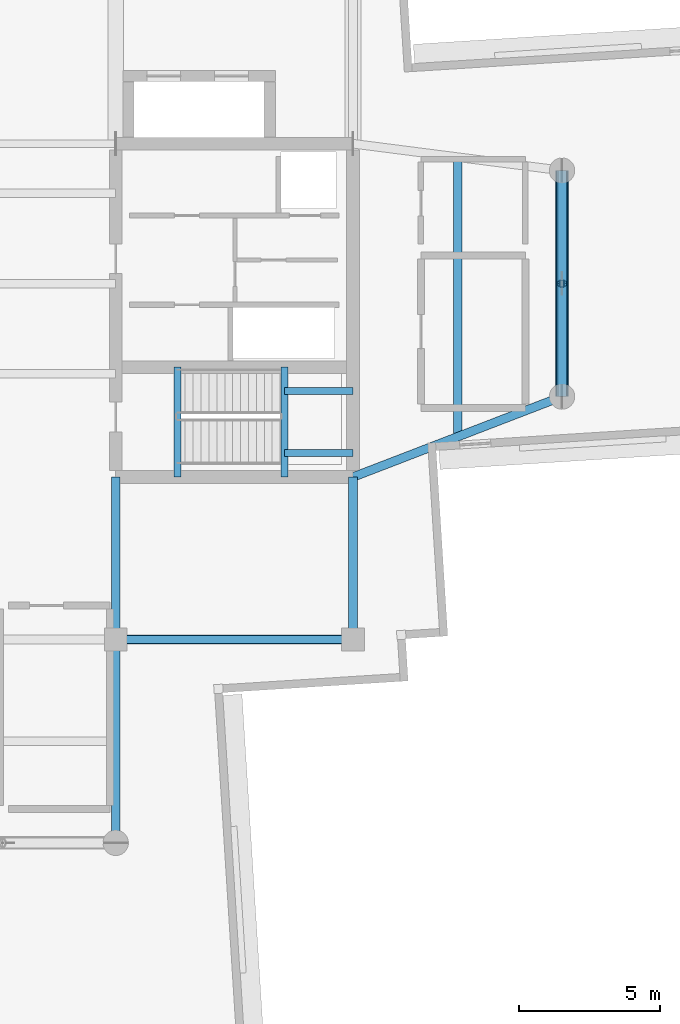
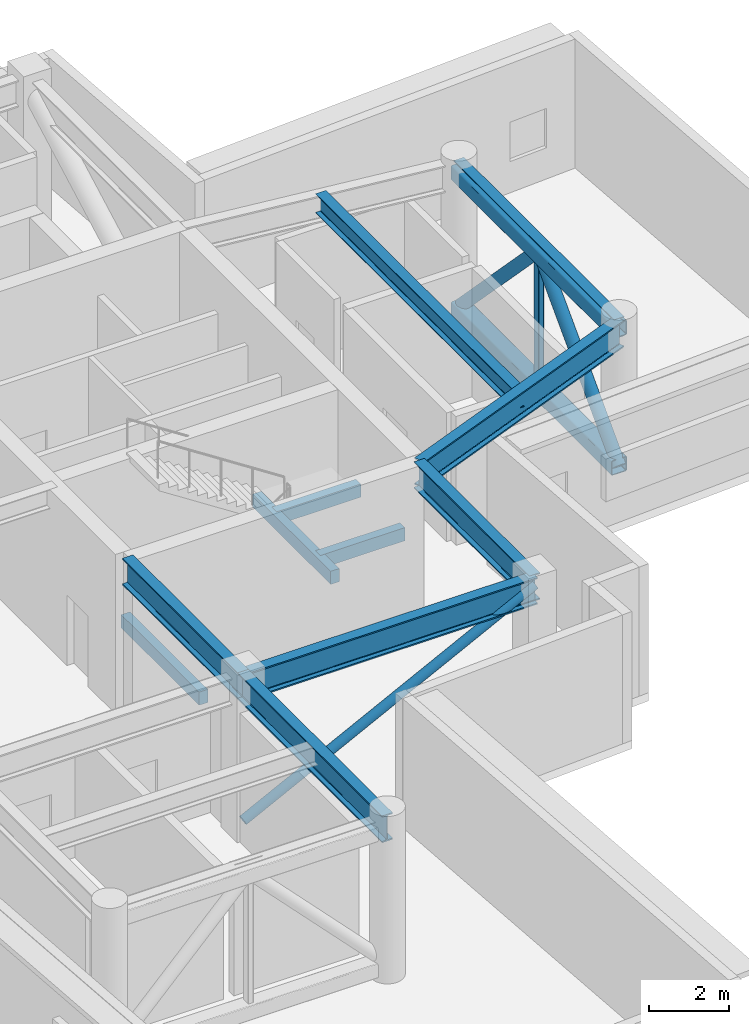
# One storey, part 4 of 14: 11 beams, 6 members.
"""IFC4 building model written with IfcOpenShell, lengths in metres."""

from ifc_helpers import new_model, si_unit, direction, frame, origin, origin_2d, place, context, subcontext, project, spatial, rectangle, hollow_rectangle, hollow_circle, i_section, extrude, material, material_profile, profile_set, type_object, element, save


model = new_model("IFC4")

# Units and contexts
model_context = context("Model", 3, precision=1e-05, world=origin(), true_north=direction((0.0, 1.0)))
body_context = subcontext(model_context, "Body", "Model", "MODEL_VIEW")
ifc_project = project(units=[si_unit("LENGTHUNIT", "METRE"), si_unit("AREAUNIT", "SQUARE_METRE"), si_unit("VOLUMEUNIT", "CUBIC_METRE"), si_unit("PLANEANGLEUNIT", "RADIAN"), si_unit("MASSUNIT", "GRAM", prefix="KILO")], contexts=[model_context])

# Site, building, storey
site_placement = place(None, origin())
site = spatial("IfcSite", under=ifc_project, at=site_placement, CompositionType="ELEMENT")
building_placement = place(site_placement, origin())
building = spatial("IfcBuilding", under=site, at=building_placement, Name="Qingluan Cross Belvedere", CompositionType="ELEMENT")
storey_placement = place(building_placement, frame((0.0, 0.0, 288.89990234375)))
storey = spatial("IfcBuildingStorey", under=building, at=storey_placement, Name="L72", CompositionType="ELEMENT", Elevation=288.89990234375)

# Beams
ifc_material_1 = material(Name="Concrete C45", Category="concrete")
ifc_material_profile_1 = material_profile(ifc_material_1, rectangle(XDim=0.25, YDim=0.39990234375, at=origin_2d()), Name="RC250x400")
ifc_profile_set_1 = profile_set([ifc_material_profile_1], Name="Concrete C45")
beam_type_1 = type_object("IfcBeamType", Name="RC_Lintel_RC250x400", PredefinedType="LINTEL", material=ifc_profile_set_1)
for number, where, z_axis, x_axis, name in (
    (1, (6.179931640625, -6.85009765625, -0.199951171875), (0.0, 1.0, 0.0), (-1.0, 0.0, 0.0), "Stair ST2 landing beam L72"),
    (2, (9.969970703125, -6.85009765625, 2.150146484375), (0.0, 1.0, 0.0), (-1.0, 0.0, 0.0), "Stair ST2 beam A L72"),
):
    element("IfcBeam", number, at=place(storey_placement, frame(where, z_axis=z_axis, x_axis=x_axis)), inside=storey, type_object=beam_type_1, Name=name, PredefinedType="LINTEL", context=body_context, shape_type="SweptSolid", body=[
        extrude(rectangle(XDim=0.25, YDim=0.39990234375, at=origin_2d()), origin(), (0.0, 0.0, 1.0), 3.89013671875),
    ])
for number, where, z_axis, x_axis, name in (
    (3, (12.39990234375, -6.0, 2.150146484375), (-1.0, 0.0, 0.0), (0.0, -1.0, 0.0), "Stair ST2 beam B L72"),
    (4, (12.39990234375, -3.81005859375, 2.150146484375), (-1.0, 0.0, 0.0), (0.0, -1.0, 0.0), "Stair ST2 beam C L72"),
):
    element("IfcBeam", number, at=place(storey_placement, frame(where, z_axis=z_axis, x_axis=x_axis)), inside=storey, type_object=beam_type_1, Name=name, PredefinedType="LINTEL", context=body_context, shape_type="SweptSolid", body=[
        extrude(rectangle(XDim=0.25, YDim=0.39990234375, at=origin_2d()), origin(), (0.0, 0.0, 1.0), 2.429931640625),
    ])

# Members
ifc_material_2 = material(Name="Steel Q420GJB", Category="steel")
ifc_material_profile_2 = material_profile(ifc_material_2, hollow_circle(Radius=0.177490234375, WallThickness=0.01611328125, at=origin_2d()), Name="CHS355x16")
ifc_profile_set_2 = profile_set([ifc_material_profile_2], Name="Steel Q420GJB")
member_type_1 = type_object("IfcMemberType", Name="SteelMember_BRACE_CHS355x16", PredefinedType="BRACE", material=ifc_profile_set_2)
for number, where, z_axis, x_axis, name in (
    (5, (19.800048828125, -4.0, 0.35009765625), (0.0, 0.693983482825, 0.719990920475), (-1.0, 0.0, 0.0), "Belt truss diagonal A L72-E"),
    (6, (19.800048828125, 4.0, 0.35009765625), (0.0, -0.693983482825, 0.719990920475), (1.0, 0.0, 0.0), "Belt truss diagonal B L72-E"),
):
    element("IfcMember", number, at=place(storey_placement, frame(where, z_axis=z_axis, x_axis=x_axis)), inside=storey, type_object=member_type_1, Name=name, PredefinedType="BRACE", context=body_context, shape_type="SweptSolid", body=[
        extrude(hollow_circle(Radius=0.177490234375, WallThickness=0.01611328125, at=origin_2d()), origin(), (0.0, 0.0, 1.0), 5.763916015625),
    ])
ifc_material_3 = material(Name="Steel Q420GJB", Category="steel")
ifc_material_profile_3 = material_profile(ifc_material_3, hollow_rectangle(XDim=0.449951171875, YDim=0.449951171875, WallThickness=0.02197265625, InnerFilletRadius=0.02197265625, OuterFilletRadius=0.0439453125, at=origin_2d()), Name="RHS450x450x22")
ifc_profile_set_3 = profile_set([ifc_material_profile_3], Name="Steel Q420GJB")
member_type_2 = type_object("IfcMemberType", Name="SteelMember_CHORD_RHS450x450x22", PredefinedType="CHORD", material=ifc_profile_set_3)
for number, where, z_axis, x_axis, name in (
    (7, (19.800048828125, -4.0, 0.35009765625), (0.0, 1.0, 0.0), (-1.0, 0.0, 0.0), "Belt truss bottom chord L72-E"),
    (8, (19.800048828125, -4.0, 4.5), (0.0, 1.0, 0.0), (-1.0, 0.0, 0.0), "Belt truss top chord L72-E"),
):
    element("IfcMember", number, at=place(storey_placement, frame(where, z_axis=z_axis, x_axis=x_axis)), inside=storey, type_object=member_type_2, Name=name, PredefinedType="CHORD", context=body_context, shape_type="SweptSolid", body=[
        extrude(hollow_rectangle(XDim=0.449951171875, YDim=0.449951171875, WallThickness=0.02197265625, InnerFilletRadius=0.02197265625, OuterFilletRadius=0.0439453125, at=origin_2d()), origin(), (0.0, 0.0, 1.0), 8.0),
    ])
ifc_material_4 = material(Name="Steel Q420GJB", Category="steel")
ifc_material_profile_4 = material_profile(ifc_material_4, hollow_rectangle(XDim=0.14990234375, YDim=0.25, WallThickness=0.010009765625, InnerFilletRadius=0.010009765625, OuterFilletRadius=0.02001953125, at=origin_2d()), Name="RHS250x150x10")
ifc_profile_set_4 = profile_set([ifc_material_profile_4], Name="Steel Q420GJB")
member_type_3 = type_object("IfcMemberType", Name="SteelMember_POST_RHS250x150x10", PredefinedType="POST", material=ifc_profile_set_4)
member_1_placement = place(storey_placement, frame((19.800048828125, 0.0, 0.35009765625), z_axis=(0.0, 0.0, 1.0), x_axis=(1.0, 0.0, 0.0)))
element("IfcMember", 9, at=member_1_placement, inside=storey, type_object=member_type_3, Name="Belt truss mid-post L72-E", PredefinedType="POST", context=body_context, shape_type="SweptSolid", body=[
    extrude(hollow_rectangle(XDim=0.14990234375, YDim=0.25, WallThickness=0.010009765625, InnerFilletRadius=0.010009765625, OuterFilletRadius=0.02001953125, at=origin_2d()), origin(), (0.0, 0.0, 1.0), 4.14990234375),
])
ifc_material_5 = material(Name="Steel Q420GJB", Category="steel")
ifc_material_profile_5 = material_profile(ifc_material_5, hollow_circle(Radius=0.136474609375, WallThickness=0.011962890625, at=origin_2d()), Name="CHS273x12")
ifc_profile_set_5 = profile_set([ifc_material_profile_5], Name="Steel Q420GJB")
member_type_4 = type_object("IfcMemberType", Name="SteelMember_STRUT_CHS273x12", PredefinedType="STRUT", material=ifc_profile_set_5)
member_2_placement = place(storey_placement, frame((4.0, -12.60009765625, 0.300048828125), z_axis=(0.892290477913, 0.0, 0.45146174038), x_axis=(0.0, 1.0, 0.0)))
element("IfcMember", 10, at=member_2_placement, inside=storey, type_object=member_type_4, Name="Refuge hub lateral strut L72-SE", PredefinedType="STRUT", context=body_context, shape_type="SweptSolid", body=[
    extrude(hollow_circle(Radius=0.136474609375, WallThickness=0.011962890625, at=origin_2d()), origin(), (0.0, 0.0, 1.0), 9.413818359375),
])

# Beams
ifc_material_6 = material(Name="Steel Q420GJB", Category="steel")
ifc_material_profile_6 = material_profile(ifc_material_6, i_section(OverallWidth=0.300048828125, OverallDepth=0.587890625, WebThickness=0.011962890625, FlangeThickness=0.02001953125, FilletRadius=0.02392578125, at=origin_2d()), Name="HM588x300x12x20")
ifc_profile_set_6 = profile_set([ifc_material_profile_6], Name="Steel Q420GJB")
beam_type_2 = type_object("IfcBeamType", Name="Steel_Beam_HM588x300x12x20", PredefinedType="BEAM", material=ifc_profile_set_6)
beam_1_placement = place(storey_placement, frame((19.800048828125, -4.0, 4.55615234375), z_axis=(0.0, 1.0, 0.0), x_axis=(-1.0, 0.0, 0.0)))
element("IfcBeam", 11, at=beam_1_placement, inside=storey, type_object=beam_type_2, Name="Arm E tie L72", PredefinedType="BEAM", context=body_context, shape_type="SweptSolid", body=[
    extrude(i_section(OverallWidth=0.300048828125, OverallDepth=0.587890625, WebThickness=0.011962890625, FlangeThickness=0.02001953125, FilletRadius=0.02392578125, at=origin_2d()), origin(), (0.0, 0.0, 1.0), 8.0),
])
beam_2_placement = place(storey_placement, frame((16.10009765625, -5.425048828125, 4.55615234375), z_axis=(0.0, 1.0, 0.0), x_axis=(-1.0, 0.0, 0.0)))
element("IfcBeam", 12, at=beam_2_placement, inside=storey, type_object=beam_type_2, Name="Arm E beam L72", PredefinedType="BEAM", context=body_context, shape_type="SweptSolid", body=[
    extrude(i_section(OverallWidth=0.300048828125, OverallDepth=0.587890625, WebThickness=0.011962890625, FlangeThickness=0.02001953125, FilletRadius=0.02392578125, at=origin_2d()), origin(), (0.0, 0.0, 1.0), 9.900146484375),
])
ifc_material_7 = material(Name="Steel Q420GJB", Category="steel")
ifc_material_profile_7 = material_profile(ifc_material_7, i_section(OverallWidth=0.305908203125, OverallDepth=0.81396484375, WebThickness=0.02099609375, FlangeThickness=0.0400390625, FilletRadius=0.030029296875, at=origin_2d()), Name="HEM800")
ifc_profile_set_7 = profile_set([ifc_material_profile_7], Name="Steel Q420GJB")
beam_type_3 = type_object("IfcBeamType", Name="Steel_Girder_HEM800", PredefinedType="USERDEFINED", material=ifc_profile_set_7)
beam_3_placement = place(storey_placement, frame((4.0, -12.60009765625, 4.443115234375), z_axis=(1.0, 0.0, 0.0), x_axis=(0.0, 1.0, 0.0)))
element("IfcBeam", 13, at=beam_3_placement, inside=storey, type_object=beam_type_3, Name="Hub girder L72-HG-S3", ObjectType="GIRDER", PredefinedType="USERDEFINED", context=body_context, shape_type="SweptSolid", body=[
    extrude(i_section(OverallWidth=0.305908203125, OverallDepth=0.81396484375, WebThickness=0.02099609375, FlangeThickness=0.0400390625, FilletRadius=0.030029296875, at=origin_2d()), origin(), (0.0, 0.0, 1.0), 8.39990234375),
])
for number, where, z_axis, x_axis, name in (
    (14, (12.39990234375, -12.60009765625, 4.443115234375), (0.0, 1.0, 0.0), (-1.0, 0.0, 0.0), "Hub girder L72-HG-E1"),
    (15, (4.0, -12.60009765625, 4.443115234375), (0.0, 1.0, 0.0), (-1.0, 0.0, 0.0), "Hub girder L72-HG-CE"),
):
    element("IfcBeam", number, at=place(storey_placement, frame(where, z_axis=z_axis, x_axis=x_axis)), inside=storey, type_object=beam_type_3, Name=name, ObjectType="GIRDER", PredefinedType="USERDEFINED", context=body_context, shape_type="SweptSolid", body=[
        extrude(i_section(OverallWidth=0.305908203125, OverallDepth=0.81396484375, WebThickness=0.02099609375, FlangeThickness=0.0400390625, FilletRadius=0.030029296875, at=origin_2d()), origin(), (0.0, 0.0, 1.0), 5.75),
    ])
beam_4_placement = place(storey_placement, frame((12.39990234375, -6.85009765625, 4.443115234375), z_axis=(0.933181258889, 0.359406090735, 0.0), x_axis=(-0.359406090735, 0.933181258889, 0.0)))
element("IfcBeam", 16, at=beam_4_placement, inside=storey, type_object=beam_type_3, Name="Arm E radial girder A L72", ObjectType="GIRDER", PredefinedType="USERDEFINED", context=body_context, shape_type="SweptSolid", body=[
    extrude(i_section(OverallWidth=0.305908203125, OverallDepth=0.81396484375, WebThickness=0.02099609375, FlangeThickness=0.0400390625, FilletRadius=0.030029296875, at=origin_2d()), origin(), (0.0, 0.0, 1.0), 7.929931640625),
])
beam_5_placement = place(storey_placement, frame((4.0, -12.60009765625, 4.443115234375), z_axis=(0.0, -1.0, 0.0), x_axis=(1.0, 0.0, 0.0)))
element("IfcBeam", 17, at=beam_5_placement, inside=storey, type_object=beam_type_3, Name="Arm S radial girder B L72", ObjectType="GIRDER", PredefinedType="USERDEFINED", context=body_context, shape_type="SweptSolid", body=[
    extrude(i_section(OverallWidth=0.305908203125, OverallDepth=0.81396484375, WebThickness=0.02099609375, FlangeThickness=0.0400390625, FilletRadius=0.030029296875, at=origin_2d()), origin(), (0.0, 0.0, 1.0), 7.199951171875),
])

save(model, "model.ifc")
